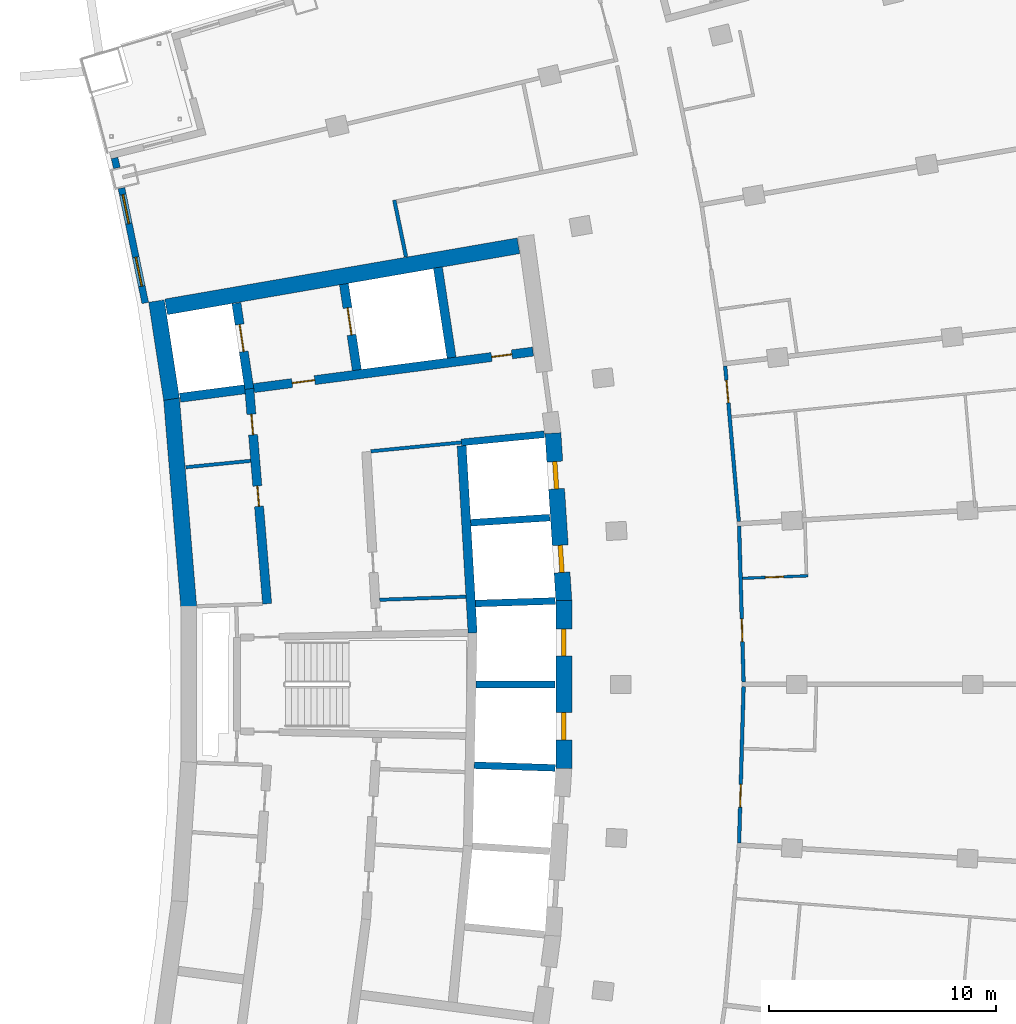
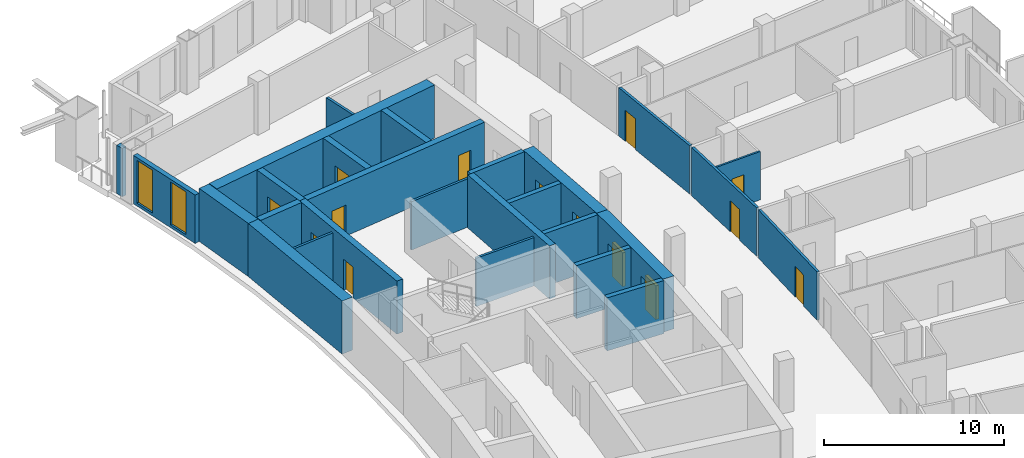
# One storey, part 14 of 20: 27 walls, 14 doors, 2 windows, 16 openings.
"""IFC4 building model written with IfcOpenShell, lengths in metres."""

from ifc_helpers import new_model, si_unit, direction, frame, frame_2d, origin, place, context, subcontext, project, spatial, rectangle, extrude, material, layer, layer_set, type_object, element, fill, save


model = new_model("IFC4")

# Units and contexts
model_context = context("Model", 3, precision=1e-05, world=origin(), true_north=direction((0.0, 1.0)))
body_context = subcontext(model_context, "Body", "Model", "MODEL_VIEW")
ifc_project = project(units=[si_unit("LENGTHUNIT", "METRE"), si_unit("AREAUNIT", "SQUARE_METRE"), si_unit("VOLUMEUNIT", "CUBIC_METRE"), si_unit("PLANEANGLEUNIT", "RADIAN"), si_unit("MASSUNIT", "GRAM", prefix="KILO")], contexts=[model_context])

# Site, building, storey
site_placement = place(None, origin())
site = spatial("IfcSite", under=ifc_project, at=site_placement, CompositionType="ELEMENT")
building_placement = place(site_placement, origin())
building = spatial("IfcBuilding", under=site, at=building_placement, Name="Alderwake Tower", CompositionType="ELEMENT")
storey_placement = place(building_placement, frame((0.0, 0.0, 178.39990234375)))
storey = spatial("IfcBuildingStorey", under=building, at=storey_placement, Name="L44", CompositionType="ELEMENT", Elevation=178.39990234375)

# Walls
ifc_material_1 = material(Name="Gypsum shaft wall system, rated")
ifc_layer_1 = layer(ifc_material_1, 0.14990234375)
ifc_layer_set_1 = layer_set([ifc_layer_1], Name="Core riser partition 150")
wall_type_1 = type_object("IfcWallType", Name="Core riser partition 150", PredefinedType="PARTITIONING", material=ifc_layer_set_1)
wall_1_placement = place(storey_placement, frame((25.191162109375, 64.723388671875, 0.0), z_axis=(0.0, 0.0, 1.0), x_axis=(0.999373627871, 0.035388584556, 0.0)))
element("IfcWall", 1, at=wall_1_placement, inside=storey, type_object=wall_type_1, Name="CW/L44/PR+37_+86", PredefinedType="PARTITIONING", context=body_context, shape_type="SweptSolid", body=[
    extrude(rectangle(XDim=3.79443359375, YDim=0.14990234375, at=frame_2d((1.897216796875, 0.0))), origin(), (0.0, 0.0, 1.0), 3.280029296875),
])
ifc_material_2 = material(Name="Gypsum shaft wall system, rated")
ifc_layer_2 = layer(ifc_material_2, 0.14990234375)
ifc_layer_set_2 = layer_set([ifc_layer_2], Name="Core room partition 150")
wall_type_2 = type_object("IfcWallType", Name="Core room partition 150", PredefinedType="PARTITIONING", material=ifc_layer_set_2)
wall_2_placement = place(storey_placement, frame((24.799560546875, 71.2548828125, 0.0), z_axis=(0.0, 0.0, 1.0), x_axis=(0.995250000627, 0.097352125046, 0.0)))
element("IfcWall", 2, at=wall_2_placement, inside=storey, type_object=wall_type_2, Name="CW/L44/PR+102_+86", PredefinedType="PARTITIONING", context=body_context, shape_type="SweptSolid", body=[
    extrude(rectangle(XDim=4.0, YDim=0.14990234375, at=frame_2d((2.0, 0.0))), origin(), (0.0, 0.0, 1.0), 3.280029296875),
])
wall_3_placement = place(storey_placement, frame((16.662841796875, 70.552001953125, 0.0), z_axis=(0.0, 0.0, 1.0), x_axis=(0.995157883569, 0.098289301407, 0.0)))
element("IfcWall", 3, at=wall_3_placement, inside=storey, type_object=wall_type_2, Name="CW/L44/PR+103_+0", PredefinedType="PARTITIONING", context=body_context, shape_type="SweptSolid", body=[
    extrude(rectangle(XDim=2.866455078125, YDim=0.14990234375, at=frame_2d((1.43310546875, 0.0))), origin(), (0.0, 0.0, 1.0), 3.280029296875),
])
ifc_material_3 = material(Name="Concrete C70/85", Category="concrete")
ifc_layer_3 = layer(ifc_material_3, 0.699951171875)
ifc_layer_set_3 = layer_set([ifc_layer_3], Name="Core wall outer 700 C70-85")
wall_type_3 = type_object("IfcWallType", Name="Core wall outer 700 C70-85", PredefinedType="SHEAR", material=ifc_layer_set_3)
wall_4_placement = place(storey_placement, frame((16.79052734375, 64.4111328125, 0.0), z_axis=(0.0, 0.0, 1.0), x_axis=(-0.082616907099, 0.996581379849, 0.0)))
element("IfcWall", 4, at=wall_4_placement, inside=storey, type_object=wall_type_3, Name="Core wall CW.040", PredefinedType="SHEAR", context=body_context, shape_type="SweptSolid", body=[
    extrude(rectangle(XDim=9.193359375, YDim=0.699951171875, at=frame_2d((4.5966796875, 0.0))), origin(), (0.0, 0.0, 1.0), 3.60009765625),
])
wall_5_placement = place(storey_placement, frame((16.033935546875, 73.547607421875, 0.0), z_axis=(0.0, 0.0, 1.0), x_axis=(-0.151897483467, 0.988396253795, 0.0)))
element("IfcWall", 5, at=wall_5_placement, inside=storey, type_object=wall_type_3, Name="Core wall CW.039", PredefinedType="SHEAR", context=body_context, shape_type="SweptSolid", body=[
    extrude(rectangle(XDim=4.365234375, YDim=0.699951171875, at=frame_2d((2.1826171875, 0.0))), origin(), (0.0, 0.0, 1.0), 3.60009765625),
])

# Wall, openings, doors
wall_6_placement = place(storey_placement, frame((33.2900390625, 57.30322265625, 0.0), z_axis=(0.0, 0.0, 1.0), x_axis=(0.0, 1.0, 0.0)))
wall_6 = element("IfcWall", 6, at=wall_6_placement, inside=storey, type_object=wall_type_3, Name="Core wall CW.013", PredefinedType="SHEAR", context=body_context, shape_type="SweptSolid", body=[
    extrude(rectangle(XDim=7.3935546875, YDim=0.699951171875, at=frame_2d((3.69677734375, 0.0))), origin(), (0.0, 0.0, 1.0), 3.60009765625),
])
opening_1_placement = place(wall_6_placement, frame((1.254150390625, 0.0, 0.0)))
opening_1 = element("IfcOpeningElement", 7, at=opening_1_placement, cuts=wall_6, Name="Opening LD-HP3", PredefinedType="OPENING", context=body_context, shape_type="SweptSolid", body=[
    extrude(rectangle(XDim=1.199951171875, YDim=2.300048828125, at=frame_2d((0.60009765625, 1.14990234375))), frame((0.0, 0.35986328125, 0.0), z_axis=(0.0, -1.0, 0.0), x_axis=(1.0, 0.0, 0.0)), (0.0, 0.0, 1.0), 0.719970703125),
])
opening_2_placement = place(wall_6_placement, frame((4.939208984375, 0.0, 0.0)))
opening_2 = element("IfcOpeningElement", 8, at=opening_2_placement, cuts=wall_6, Name="Opening LD-HP4", PredefinedType="OPENING", context=body_context, shape_type="SweptSolid", body=[
    extrude(rectangle(XDim=1.199951171875, YDim=2.300048828125, at=frame_2d((0.60009765625, 1.14990234375))), frame((0.0, 0.35986328125, 0.0), z_axis=(0.0, -1.0, 0.0), x_axis=(1.0, 0.0, 0.0)), (0.0, 0.0, 1.0), 0.719970703125),
])
ifc_material_4 = material(Name="Stainless steel sliding leaf", Category="steel")
door_type_1 = type_object("IfcDoorType", Name="Lift landing door 1200", OperationType="SLIDING_TO_LEFT", PredefinedType="DOOR", material=ifc_material_4)
door_1_placement = place(opening_1_placement, origin())
door_1 = element("IfcDoor", 9, at=door_1_placement, inside=storey, type_object=door_type_1, Name="Lift landing door HP3", OperationType="SLIDING_TO_LEFT", OverallHeight=2.300048828125, OverallWidth=1.199951171875, PredefinedType="DOOR", context=body_context, shape_type="SweptSolid", body=[
    extrude(rectangle(XDim=1.199951171875, YDim=2.300048828125, at=frame_2d((0.60009765625, 1.14990234375))), frame((0.0, 0.10009765625, 0.0), z_axis=(0.0, -1.0, 0.0), x_axis=(1.0, 0.0, 0.0)), (0.0, 0.0, 1.0), 0.199951171875),
])
fill(opening_1, door_1)
door_2_placement = place(opening_2_placement, origin())
door_2 = element("IfcDoor", 10, at=door_2_placement, inside=storey, type_object=door_type_1, Name="Lift landing door HP4", OperationType="SLIDING_TO_LEFT", OverallHeight=2.300048828125, OverallWidth=1.199951171875, PredefinedType="DOOR", context=body_context, shape_type="SweptSolid", body=[
    extrude(rectangle(XDim=1.199951171875, YDim=2.300048828125, at=frame_2d((0.60009765625, 1.14990234375))), frame((0.0, 0.10009765625, 0.0), z_axis=(0.0, -1.0, 0.0), x_axis=(1.0, 0.0, 0.0)), (0.0, 0.0, 1.0), 0.199951171875),
])
fill(opening_2, door_2)

wall_7_placement = place(storey_placement, frame((33.291015625, 64.6728515625, 0.0), z_axis=(0.0, 0.0, 1.0), x_axis=(-0.065009096017, 0.99788467141, 0.0)))
wall_7 = element("IfcWall", 11, at=wall_7_placement, inside=storey, type_object=wall_type_3, Name="Core wall CW.010", PredefinedType="SHEAR", context=body_context, shape_type="SweptSolid", body=[
    extrude(rectangle(XDim=7.39453125, YDim=0.699951171875, at=frame_2d((3.697265625, 0.0))), origin(), (0.0, 0.0, 1.0), 3.60009765625),
])
opening_3_placement = place(wall_7_placement, frame((1.25390625, 0.0, 0.0)))
opening_3 = element("IfcOpeningElement", 12, at=opening_3_placement, cuts=wall_7, Name="Opening LD-HP5", PredefinedType="OPENING", context=body_context, shape_type="SweptSolid", body=[
    extrude(rectangle(XDim=1.199951171875, YDim=2.300048828125, at=frame_2d((0.60009765625, 1.14990234375))), frame((0.0, 0.35986328125, 0.0), z_axis=(0.0, -1.0, 0.0), x_axis=(1.0, 0.0, 0.0)), (0.0, 0.0, 1.0), 0.719970703125),
])
opening_4_placement = place(wall_7_placement, frame((4.939208984375, 0.0, 0.0)))
opening_4 = element("IfcOpeningElement", 13, at=opening_4_placement, cuts=wall_7, Name="Opening LD-HP6", PredefinedType="OPENING", context=body_context, shape_type="SweptSolid", body=[
    extrude(rectangle(XDim=1.199951171875, YDim=2.300048828125, at=frame_2d((0.60009765625, 1.14990234375))), frame((0.0, 0.35986328125, 0.0), z_axis=(0.0, -1.0, 0.0), x_axis=(1.0, 0.0, 0.0)), (0.0, 0.0, 1.0), 0.719970703125),
])
door_3_placement = place(opening_3_placement, origin())
door_3 = element("IfcDoor", 14, at=door_3_placement, inside=storey, type_object=door_type_1, Name="Lift landing door HP5", OperationType="SLIDING_TO_LEFT", OverallHeight=2.300048828125, OverallWidth=1.199951171875, PredefinedType="DOOR", context=body_context, shape_type="SweptSolid", body=[
    extrude(rectangle(XDim=1.199951171875, YDim=2.300048828125, at=frame_2d((0.60009765625, 1.14990234375))), frame((0.0, 0.10009765625, 0.0), z_axis=(0.0, -1.0, 0.0), x_axis=(1.0, 0.0, 0.0)), (0.0, 0.0, 1.0), 0.199951171875),
])
fill(opening_3, door_3)
door_4_placement = place(opening_4_placement, origin())
door_4 = element("IfcDoor", 15, at=door_4_placement, inside=storey, type_object=door_type_1, Name="Lift landing door HP6", OperationType="SLIDING_TO_LEFT", OverallHeight=2.300048828125, OverallWidth=1.199951171875, PredefinedType="DOOR", context=body_context, shape_type="SweptSolid", body=[
    extrude(rectangle(XDim=1.199951171875, YDim=2.300048828125, at=frame_2d((0.60009765625, 1.14990234375))), frame((0.0, 0.10009765625, 0.0), z_axis=(0.0, -1.0, 0.0), x_axis=(1.0, 0.0, 0.0)), (0.0, 0.0, 1.0), 0.199951171875),
])
fill(opening_4, door_4)

# Walls
wall_8_placement = place(storey_placement, frame((15.79443359375, 77.606689453125, 0.0), z_axis=(0.0, 0.0, 1.0), x_axis=(0.985301369349, 0.170825090542, 0.0)))
element("IfcWall", 16, at=wall_8_placement, inside=storey, type_object=wall_type_3, Name="Core wall CW.055", PredefinedType="SHEAR", context=body_context, shape_type="SweptSolid", body=[
    extrude(rectangle(XDim=15.732421875, YDim=0.699951171875, at=frame_2d((7.8662109375, 0.0))), origin(), (0.0, 0.0, 1.0), 3.60009765625),
])
ifc_material_5 = material(Name="Concrete C70/85", Category="concrete")
ifc_layer_4 = layer(ifc_material_5, 0.300048828125)
ifc_layer_set_4 = layer_set([ifc_layer_4], Name="Core wall shaft 300 C70-85")
wall_type_4 = type_object("IfcWallType", Name="Core wall shaft 300 C70-85", PredefinedType="SHEAR", material=ifc_layer_set_4)
wall_9_placement = place(storey_placement, frame((29.347412109375, 57.443603515625, 0.0), z_axis=(0.0, 0.0, 1.0), x_axis=(0.999470674121, -0.03253262319, 0.0)))
element("IfcWall", 17, at=wall_9_placement, inside=storey, type_object=wall_type_4, Name="Core wall CW.075", PredefinedType="SHEAR", context=body_context, shape_type="SweptSolid", body=[
    extrude(rectangle(XDim=3.564697265625, YDim=0.300048828125, at=frame_2d((1.7822265625, 0.0))), origin(), (0.0, 0.0, 1.0), 3.60009765625),
])
wall_10_placement = place(storey_placement, frame((29.426025390625, 61.0, 0.0), z_axis=(0.0, 0.0, 1.0), x_axis=(1.0, 0.0, 0.0)))
element("IfcWall", 18, at=wall_10_placement, inside=storey, type_object=wall_type_4, Name="Core wall CW.048", PredefinedType="SHEAR", context=body_context, shape_type="SweptSolid", body=[
    extrude(rectangle(XDim=3.484130859375, YDim=0.300048828125, at=frame_2d((1.7421875, 0.0))), origin(), (0.0, 0.0, 1.0), 3.60009765625),
])
wall_11_placement = place(storey_placement, frame((29.401611328125, 64.558349609375, 0.0), z_axis=(0.0, 0.0, 1.0), x_axis=(0.999472422829, 0.032478854739, 0.0)))
element("IfcWall", 19, at=wall_11_placement, inside=storey, type_object=wall_type_4, Name="Core wall CW.058", PredefinedType="SHEAR", context=body_context, shape_type="SweptSolid", body=[
    extrude(rectangle(XDim=3.510498046875, YDim=0.300048828125, at=frame_2d((1.75537109375, 0.0))), origin(), (0.0, 0.0, 1.0), 3.60009765625),
])
wall_12_placement = place(storey_placement, frame((29.193603515625, 68.110595703125, 0.0), z_axis=(0.0, 0.0, 1.0), x_axis=(0.997884751549, 0.065007865878, 0.0)))
element("IfcWall", 20, at=wall_12_placement, inside=storey, type_object=wall_type_4, Name="Core wall CW.061", PredefinedType="SHEAR", context=body_context, shape_type="SweptSolid", body=[
    extrude(rectangle(XDim=3.485107421875, YDim=0.300048828125, at=frame_2d((1.74267578125, 0.0))), origin(), (0.0, 0.0, 1.0), 3.60009765625),
])
wall_13_placement = place(storey_placement, frame((28.780517578125, 71.644287109375, 0.0), z_axis=(0.0, 0.0, 1.0), x_axis=(0.995245736737, 0.097395705788, 0.0)))
element("IfcWall", 21, at=wall_13_placement, inside=storey, type_object=wall_type_4, Name="Core wall CW.049", PredefinedType="SHEAR", context=body_context, shape_type="SweptSolid", body=[
    extrude(rectangle(XDim=3.669677734375, YDim=0.300048828125, at=frame_2d((1.8349609375, 0.0))), origin(), (0.0, 0.0, 1.0), 3.60009765625),
])

# Wall, openings, doors
ifc_material_6 = material(Name="Concrete C70/85", Category="concrete")
ifc_layer_5 = layer(ifc_material_6, 0.39990234375)
ifc_layer_set_5 = layer_set([ifc_layer_5], Name="Core wall spine 400 C70-85")
wall_type_5 = type_object("IfcWallType", Name="Core wall spine 400 C70-85", PredefinedType="SHEAR", material=ifc_layer_set_5)
wall_14_placement = place(storey_placement, frame((19.452392578125, 74.014892578125, 0.0), z_axis=(0.0, 0.0, 1.0), x_axis=(0.082628585297, -0.996580411654, 0.0)))
wall_14 = element("IfcWall", 22, at=wall_14_placement, inside=storey, type_object=wall_type_5, Name="Core wall CW.031", PredefinedType="SHEAR", context=body_context, shape_type="SweptSolid", body=[
    extrude(rectangle(XDim=9.499267578125, YDim=0.39990234375, at=frame_2d((4.74951171875, 0.0))), origin(), (0.0, 0.0, 1.0), 3.60009765625),
])
opening_5_placement = place(wall_14_placement, frame((4.302978515625, 0.0, 0.0)))
opening_5 = element("IfcOpeningElement", 23, at=opening_5_placement, cuts=wall_14, Name="Opening C052", PredefinedType="OPENING", context=body_context, shape_type="SweptSolid", body=[
    extrude(rectangle(XDim=0.89990234375, YDim=2.10009765625, at=frame_2d((0.449951171875, 1.050048828125))), frame((0.0, 0.2099609375, 0.0), z_axis=(0.0, -1.0, 0.0), x_axis=(1.0, 0.0, 0.0)), (0.0, 0.0, 1.0), 0.419921875),
])
opening_6_placement = place(wall_14_placement, frame((1.138427734375, 0.0, 0.0)))
opening_6 = element("IfcOpeningElement", 24, at=opening_6_placement, cuts=wall_14, Name="Opening C056", PredefinedType="OPENING", context=body_context, shape_type="SweptSolid", body=[
    extrude(rectangle(XDim=0.89990234375, YDim=2.10009765625, at=frame_2d((0.449951171875, 1.050048828125))), frame((0.0, 0.2099609375, 0.0), z_axis=(0.0, -1.0, 0.0), x_axis=(1.0, 0.0, 0.0)), (0.0, 0.0, 1.0), 0.419921875),
])
ifc_material_7 = material(Name="Painted steel leaf", Category="steel")
door_type_2 = type_object("IfcDoorType", Name="Core room door 900", OperationType="SINGLE_SWING_LEFT", PredefinedType="DOOR", material=ifc_material_7)
door_5_placement = place(opening_5_placement, origin())
door_5 = element("IfcDoor", 25, at=door_5_placement, inside=storey, type_object=door_type_2, Name="Room door", OperationType="SINGLE_SWING_LEFT", OverallHeight=2.10009765625, OverallWidth=0.89990234375, PredefinedType="DOOR", context=body_context, shape_type="SweptSolid", body=[
    extrude(rectangle(XDim=0.89990234375, YDim=2.10009765625, at=frame_2d((0.449951171875, 1.050048828125))), frame((0.0, 0.02490234375, 0.0), z_axis=(0.0, -1.0, 0.0), x_axis=(1.0, 0.0, 0.0)), (0.0, 0.0, 1.0), 0.050048828125),
])
fill(opening_5, door_5)
door_6_placement = place(opening_6_placement, origin())
door_6 = element("IfcDoor", 26, at=door_6_placement, inside=storey, type_object=door_type_2, Name="Room door", OperationType="SINGLE_SWING_RIGHT", OverallHeight=2.10009765625, OverallWidth=0.89990234375, PredefinedType="DOOR", context=body_context, shape_type="SweptSolid", body=[
    extrude(rectangle(XDim=0.89990234375, YDim=2.10009765625, at=frame_2d((0.449951171875, 1.050048828125))), frame((0.0, 0.02490234375, 0.0), z_axis=(0.0, -1.0, 0.0), x_axis=(1.0, 0.0, 0.0)), (0.0, 0.0, 1.0), 0.050048828125),
])
fill(opening_6, door_6)

# Wall, opening, door
wall_15_placement = place(storey_placement, frame((19.4541015625, 74.000732421875, 0.0), z_axis=(0.0, 0.0, 1.0), x_axis=(-0.148540738889, 0.988906289236, 0.0)))
wall_15 = element("IfcWall", 27, at=wall_15_placement, inside=storey, type_object=wall_type_5, Name="Core wall CW.030", PredefinedType="SHEAR", context=body_context, shape_type="SweptSolid", body=[
    extrude(rectangle(XDim=3.814697265625, YDim=0.39990234375, at=frame_2d((1.9072265625, 0.0))), origin(), (0.0, 0.0, 1.0), 3.60009765625),
])
opening_7_placement = place(wall_15_placement, frame((1.660888671875, 0.0, 0.0)))
opening_7 = element("IfcOpeningElement", 28, at=opening_7_placement, cuts=wall_15, Name="Opening LD-FF1", PredefinedType="OPENING", context=body_context, shape_type="SweptSolid", body=[
    extrude(rectangle(XDim=1.199951171875, YDim=2.300048828125, at=frame_2d((0.60009765625, 1.14990234375))), frame((0.0, 0.2099609375, 0.0), z_axis=(0.0, -1.0, 0.0), x_axis=(1.0, 0.0, 0.0)), (0.0, 0.0, 1.0), 0.419921875),
])
door_7_placement = place(opening_7_placement, origin())
door_7 = element("IfcDoor", 29, at=door_7_placement, inside=storey, type_object=door_type_1, Name="Lift landing door FF1", OperationType="SLIDING_TO_LEFT", OverallHeight=2.300048828125, OverallWidth=1.199951171875, PredefinedType="DOOR", context=body_context, shape_type="SweptSolid", body=[
    extrude(rectangle(XDim=1.199951171875, YDim=2.300048828125, at=frame_2d((0.60009765625, 1.14990234375))), frame((0.0, 0.02490234375, 0.0), z_axis=(0.0, -1.0, 0.0), x_axis=(1.0, 0.0, 0.0)), (0.0, 0.0, 1.0), 0.050048828125),
])
fill(opening_7, door_7)

wall_16_placement = place(storey_placement, frame((24.186279296875, 74.82861328125, 0.0), z_axis=(0.0, 0.0, 1.0), x_axis=(-0.149604879253, 0.988745862243, 0.0)))
wall_16 = element("IfcWall", 30, at=wall_16_placement, inside=storey, type_object=wall_type_5, Name="Core wall CW.044", PredefinedType="SHEAR", context=body_context, shape_type="SweptSolid", body=[
    extrude(rectangle(XDim=3.823486328125, YDim=0.39990234375, at=frame_2d((1.91162109375, 0.0))), origin(), (0.0, 0.0, 1.0), 3.60009765625),
])
opening_8_placement = place(wall_16_placement, frame((1.561767578125, 0.0, 0.0)))
opening_8 = element("IfcOpeningElement", 31, at=opening_8_placement, cuts=wall_16, Name="Opening LD-FF2", PredefinedType="OPENING", context=body_context, shape_type="SweptSolid", body=[
    extrude(rectangle(XDim=1.199951171875, YDim=2.300048828125, at=frame_2d((0.60009765625, 1.14990234375))), frame((0.0, 0.2099609375, 0.0), z_axis=(0.0, -1.0, 0.0), x_axis=(1.0, 0.0, 0.0)), (0.0, 0.0, 1.0), 0.419921875),
])
door_8_placement = place(opening_8_placement, origin())
door_8 = element("IfcDoor", 32, at=door_8_placement, inside=storey, type_object=door_type_1, Name="Lift landing door FF2", OperationType="SLIDING_TO_LEFT", OverallHeight=2.300048828125, OverallWidth=1.199951171875, PredefinedType="DOOR", context=body_context, shape_type="SweptSolid", body=[
    extrude(rectangle(XDim=1.199951171875, YDim=2.300048828125, at=frame_2d((0.60009765625, 1.14990234375))), frame((0.0, 0.02490234375, 0.0), z_axis=(0.0, -1.0, 0.0), x_axis=(1.0, 0.0, 0.0)), (0.0, 0.0, 1.0), 0.050048828125),
])
fill(opening_8, door_8)

# Walls
wall_17_placement = place(storey_placement, frame((29.27685546875, 63.2646484375, 0.0), z_axis=(0.0, 0.0, 1.0), x_axis=(-0.0584546922, 0.998290062537, 0.0)))
element("IfcWall", 33, at=wall_17_placement, inside=storey, type_object=wall_type_5, Name="Core wall CW.002", PredefinedType="SHEAR", context=body_context, shape_type="SweptSolid", body=[
    extrude(rectangle(XDim=8.24462890625, YDim=0.39990234375, at=frame_2d((4.122314453125, 0.0))), origin(), (0.0, 0.0, 1.0), 3.60009765625),
])
wall_18_placement = place(storey_placement, frame((28.350830078125, 75.373291015625, 0.0), z_axis=(0.0, 0.0, 1.0), x_axis=(-0.149688214264, 0.988733249421, 0.0)))
element("IfcWall", 34, at=wall_18_placement, inside=storey, type_object=wall_type_5, Name="Core wall CW.001", PredefinedType="SHEAR", context=body_context, shape_type="SweptSolid", body=[
    extrude(rectangle(XDim=4.01220703125, YDim=0.39990234375, at=frame_2d((2.006103515625, 0.0))), origin(), (0.0, 0.0, 1.0), 3.60009765625),
])
wall_19_placement = place(storey_placement, frame((16.4091796875, 73.609619140625, 0.0), z_axis=(0.0, 0.0, 1.0), x_axis=(0.991557657486, 0.129666541102, 0.0)))
element("IfcWall", 35, at=wall_19_placement, inside=storey, type_object=wall_type_5, Name="Core wall CW.051", PredefinedType="SHEAR", context=body_context, shape_type="SweptSolid", body=[
    extrude(rectangle(XDim=2.869384765625, YDim=0.39990234375, at=frame_2d((1.4345703125, 0.0))), origin(), (0.0, 0.0, 1.0), 3.60009765625),
])

# Wall, openings, doors
wall_20_placement = place(storey_placement, frame((31.933837890625, 75.64013671875, 0.0), z_axis=(0.0, 0.0, 1.0), x_axis=(-0.991554628634, -0.129689700573, 0.0)))
wall_20 = element("IfcWall", 36, at=wall_20_placement, inside=storey, type_object=wall_type_5, Name="Core wall CW.052", PredefinedType="SHEAR", context=body_context, shape_type="SweptSolid", body=[
    extrude(rectangle(XDim=12.38671875, YDim=0.39990234375, at=frame_2d((6.193359375, 0.0))), origin(), (0.0, 0.0, 1.0), 3.60009765625),
])
opening_9_placement = place(wall_20_placement, frame((9.687255859375, 0.0, 0.0)))
opening_9 = element("IfcOpeningElement", 37, at=opening_9_placement, cuts=wall_20, Name="Opening C002", PredefinedType="OPENING", context=body_context, shape_type="SweptSolid", body=[
    extrude(rectangle(XDim=1.0, YDim=2.10009765625, at=frame_2d((0.5, 1.050048828125))), frame((0.0, 0.2099609375, 0.0), z_axis=(0.0, -1.0, 0.0), x_axis=(1.0, 0.0, 0.0)), (0.0, 0.0, 1.0), 0.419921875),
])
opening_10_placement = place(wall_20_placement, frame((0.937255859375, 0.0, 0.0)))
opening_10 = element("IfcOpeningElement", 38, at=opening_10_placement, cuts=wall_20, Name="Opening C020", PredefinedType="OPENING", context=body_context, shape_type="SweptSolid", body=[
    extrude(rectangle(XDim=0.89990234375, YDim=2.10009765625, at=frame_2d((0.449951171875, 1.050048828125))), frame((0.0, 0.2099609375, 0.0), z_axis=(0.0, -1.0, 0.0), x_axis=(1.0, 0.0, 0.0)), (0.0, 0.0, 1.0), 0.419921875),
])
door_9_placement = place(opening_10_placement, origin())
door_9 = element("IfcDoor", 39, at=door_9_placement, inside=storey, type_object=door_type_2, Name="Room door", OperationType="SINGLE_SWING_LEFT", OverallHeight=2.10009765625, OverallWidth=0.89990234375, PredefinedType="DOOR", context=body_context, shape_type="SweptSolid", body=[
    extrude(rectangle(XDim=0.89990234375, YDim=2.10009765625, at=frame_2d((0.449951171875, 1.050048828125))), frame((0.0, 0.02490234375, 0.0), z_axis=(0.0, -1.0, 0.0), x_axis=(1.0, 0.0, 0.0)), (0.0, 0.0, 1.0), 0.050048828125),
])
fill(opening_10, door_9)
ifc_material_8 = material(Name="Steel-framed fire door leaf", Category="steel")
door_type_3 = type_object("IfcDoorType", Name="Firefighting lobby door 1000 fire-rated", OperationType="SINGLE_SWING_LEFT", PredefinedType="DOOR", material=ifc_material_8)
door_10_placement = place(opening_9_placement, origin())
door_10 = element("IfcDoor", 40, at=door_10_placement, inside=storey, type_object=door_type_3, Name="Firefighting lobby door", OperationType="SINGLE_SWING_RIGHT", OverallHeight=2.10009765625, OverallWidth=1.0, PredefinedType="DOOR", context=body_context, shape_type="SweptSolid", body=[
    extrude(rectangle(XDim=1.0, YDim=2.10009765625, at=frame_2d((0.5, 1.050048828125))), frame((0.0, 0.02490234375, 0.0), z_axis=(0.0, -1.0, 0.0), x_axis=(1.0, 0.0, 0.0)), (0.0, 0.0, 1.0), 0.050048828125),
])
fill(opening_9, door_10)

# Wall
ifc_material_9 = material(Name="Gypsum board on metal studs, rated")
ifc_layer_6 = layer(ifc_material_9, 0.159912109375)
ifc_layer_set_6 = layer_set([ifc_layer_6], Name="Corridor wall 160")
wall_type_6 = type_object("IfcWallType", Name="Corridor wall 160", PredefinedType="PARTITIONING", material=ifc_layer_set_6)
wall_21_placement = place(storey_placement, frame((25.831787109375, 82.305419921875, 0.0), z_axis=(0.0, 0.0, 1.0), x_axis=(0.202450797205, -0.979292435747, 0.0)))
element("IfcWall", 41, at=wall_21_placement, inside=storey, type_object=wall_type_6, Name="WL/L44/W16", PredefinedType="PARTITIONING", context=body_context, shape_type="SweptSolid", body=[
    extrude(rectangle(XDim=2.555419921875, YDim=0.159912109375, at=frame_2d((1.27783203125, 0.0))), origin(), (0.0, 0.0, 1.0), 3.280029296875),
])

# Wall, opening, door
wall_22_placement = place(storey_placement, frame((41.196044921875, 60.89892578125, 0.0), z_axis=(0.0, 0.0, 1.0), x_axis=(-0.028865238788, -0.99958331218, 0.0)))
wall_22 = element("IfcWall", 42, at=wall_22_placement, inside=storey, type_object=wall_type_6, Name="WL/L44/W30", PredefinedType="PARTITIONING", context=body_context, shape_type="SweptSolid", body=[
    extrude(rectangle(XDim=6.867919921875, YDim=0.159912109375, at=frame_2d((3.43408203125, 0.0))), origin(), (0.0, 0.0, 1.0), 3.280029296875),
])
opening_11_placement = place(wall_22_placement, frame((4.297119140625, 0.0, 0.0)))
opening_11 = element("IfcOpeningElement", 43, at=opening_11_placement, cuts=wall_22, Name="Opening R12-U05.1", PredefinedType="OPENING", context=body_context, shape_type="SweptSolid", body=[
    extrude(rectangle(XDim=1.0, YDim=2.10009765625, at=frame_2d((0.5, 1.050048828125))), frame((0.0, 0.08984375, 0.0), z_axis=(0.0, -1.0, 0.0), x_axis=(1.0, 0.0, 0.0)), (0.0, 0.0, 1.0), 0.179931640625),
])
ifc_material_10 = material(Name="Solid timber leaf in steel frame", Category="steel")
door_type_4 = type_object("IfcDoorType", Name="Flat entrance door 1000 fire-rated", OperationType="SINGLE_SWING_LEFT", PredefinedType="DOOR", material=ifc_material_10)
door_11_placement = place(opening_11_placement, origin())
door_11 = element("IfcDoor", 44, at=door_11_placement, inside=storey, type_object=door_type_4, Name="DR/L44/U05.1", OperationType="SINGLE_SWING_LEFT", OverallHeight=2.10009765625, OverallWidth=1.0, PredefinedType="DOOR", context=body_context, shape_type="SweptSolid", body=[
    extrude(rectangle(XDim=1.0, YDim=2.10009765625, at=frame_2d((0.5, 1.050048828125))), frame((0.0, 0.02490234375, 0.0), z_axis=(0.0, -1.0, 0.0), x_axis=(1.0, 0.0, 0.0)), (0.0, 0.0, 1.0), 0.050048828125),
])
fill(opening_11, door_11)

wall_23_placement = place(storey_placement, frame((40.3857421875, 75.00830078125, 0.0), z_axis=(0.0, 0.0, 1.0), x_axis=(0.087448731147, -0.996169021512, 0.0)))
wall_23 = element("IfcWall", 45, at=wall_23_placement, inside=storey, type_object=wall_type_6, Name="WL/L44/W31", PredefinedType="PARTITIONING", context=body_context, shape_type="SweptSolid", body=[
    extrude(rectangle(XDim=6.867919921875, YDim=0.159912109375, at=frame_2d((3.43408203125, 0.0))), origin(), (0.0, 0.0, 1.0), 3.280029296875),
])
opening_12_placement = place(wall_23_placement, frame((0.628173828125, 0.0, 0.0)))
opening_12 = element("IfcOpeningElement", 46, at=opening_12_placement, cuts=wall_23, Name="Opening R12-U07.2", PredefinedType="OPENING", context=body_context, shape_type="SweptSolid", body=[
    extrude(rectangle(XDim=1.0, YDim=2.10009765625, at=frame_2d((0.5, 1.050048828125))), frame((0.0, 0.08984375, 0.0), z_axis=(0.0, -1.0, 0.0), x_axis=(1.0, 0.0, 0.0)), (0.0, 0.0, 1.0), 0.179931640625),
])
door_12_placement = place(opening_12_placement, origin())
door_12 = element("IfcDoor", 47, at=door_12_placement, inside=storey, type_object=door_type_4, Name="DR/L44/U07.2", OperationType="SINGLE_SWING_LEFT", OverallHeight=2.10009765625, OverallWidth=1.0, PredefinedType="DOOR", context=body_context, shape_type="SweptSolid", body=[
    extrude(rectangle(XDim=1.0, YDim=2.10009765625, at=frame_2d((0.5, 1.050048828125))), frame((0.0, 0.02490234375, 0.0), z_axis=(0.0, -1.0, 0.0), x_axis=(1.0, 0.0, 0.0)), (0.0, 0.0, 1.0), 0.050048828125),
])
fill(opening_12, door_12)

wall_24_placement = place(storey_placement, frame((40.997802734375, 67.967041015625, 0.0), z_axis=(0.0, 0.0, 1.0), x_axis=(0.028852935833, -0.99958366738, 0.0)))
wall_24 = element("IfcWall", 48, at=wall_24_placement, inside=storey, type_object=wall_type_6, Name="WL/L44/W32", PredefinedType="PARTITIONING", context=body_context, shape_type="SweptSolid", body=[
    extrude(rectangle(XDim=6.870849609375, YDim=0.159912109375, at=frame_2d((3.435546875, 0.0))), origin(), (0.0, 0.0, 1.0), 3.280029296875),
])
opening_13_placement = place(wall_24_placement, frame((4.087646484375, 0.0, 0.0)))
opening_13 = element("IfcOpeningElement", 49, at=opening_13_placement, cuts=wall_24, Name="Opening R12-U06.1", PredefinedType="OPENING", context=body_context, shape_type="SweptSolid", body=[
    extrude(rectangle(XDim=1.0, YDim=2.10009765625, at=frame_2d((0.5, 1.050048828125))), frame((0.0, 0.08984375, 0.0), z_axis=(0.0, -1.0, 0.0), x_axis=(1.0, 0.0, 0.0)), (0.0, 0.0, 1.0), 0.179931640625),
])
door_13_placement = place(opening_13_placement, origin())
door_13 = element("IfcDoor", 50, at=door_13_placement, inside=storey, type_object=door_type_4, Name="DR/L44/U06.1", OperationType="SINGLE_SWING_LEFT", OverallHeight=2.10009765625, OverallWidth=1.0, PredefinedType="DOOR", context=body_context, shape_type="SweptSolid", body=[
    extrude(rectangle(XDim=1.0, YDim=2.10009765625, at=frame_2d((0.5, 1.050048828125))), frame((0.0, 0.02490234375, 0.0), z_axis=(0.0, -1.0, 0.0), x_axis=(1.0, 0.0, 0.0)), (0.0, 0.0, 1.0), 0.050048828125),
])
fill(opening_13, door_13)

# Wall
ifc_material_11 = material(Name="Precast concrete C50/60 spandrel panel", Category="concrete")
ifc_layer_7 = layer(ifc_material_11, 0.300048828125)
ifc_layer_set_7 = layer_set([ifc_layer_7], Name="External wall EW1 Precast concrete C50/60 spandrel")
wall_type_7 = type_object("IfcWallType", Name="External wall EW1 Precast concrete C50/60 spandrel", PredefinedType="SOLIDWALL", material=ifc_layer_set_7)
wall_25_placement = place(storey_placement, frame((13.523193359375, 84.1572265625, 0.0), z_axis=(0.0, 0.0, 1.0), x_axis=(0.238729806706, -0.97108603089, 0.0)))
element("IfcWall", 51, at=wall_25_placement, inside=storey, type_object=wall_type_7, Name="External wall 30", PredefinedType="SOLIDWALL", context=body_context, shape_type="SweptSolid", body=[
    extrude(rectangle(XDim=0.453125, YDim=0.300048828125, at=frame_2d((0.2265625, 0.0))), origin(), (0.0, 0.0, 1.0), 3.280029296875),
])

# Wall, openings, windows
wall_26_placement = place(storey_placement, frame((13.83203125, 82.8291015625, 0.0), z_axis=(0.0, 0.0, 1.0), x_axis=(0.202754243564, -0.979229654737, 0.0)))
wall_26 = element("IfcWall", 52, at=wall_26_placement, inside=storey, type_object=wall_type_7, Name="External wall 31", PredefinedType="SOLIDWALL", context=body_context, shape_type="SweptSolid", body=[
    extrude(rectangle(XDim=5.15966796875, YDim=0.300048828125, at=frame_2d((2.579833984375, 0.0))), origin(), (0.0, 0.0, 1.0), 3.280029296875),
])
opening_14_placement = place(wall_26_placement, frame((0.29052734375, 0.0, 0.199951171875)))
opening_14 = element("IfcOpeningElement", 53, at=opening_14_placement, cuts=wall_26, Name="Opening W1", PredefinedType="OPENING", context=body_context, shape_type="SweptSolid", body=[
    extrude(rectangle(XDim=1.300048828125, YDim=2.89990234375, at=frame_2d((0.64990234375, 1.449951171875))), frame((0.0, 0.159912109375, 0.0), z_axis=(0.0, -1.0, 0.0), x_axis=(1.0, 0.0, 0.0)), (0.0, 0.0, 1.0), 0.320068359375),
])
opening_15_placement = place(wall_26_placement, frame((3.103271484375, 0.0, 0.199951171875)))
opening_15 = element("IfcOpeningElement", 54, at=opening_15_placement, cuts=wall_26, Name="Opening W1", PredefinedType="OPENING", context=body_context, shape_type="SweptSolid", body=[
    extrude(rectangle(XDim=1.300048828125, YDim=2.89990234375, at=frame_2d((0.64990234375, 1.449951171875))), frame((0.0, 0.159912109375, 0.0), z_axis=(0.0, -1.0, 0.0), x_axis=(1.0, 0.0, 0.0)), (0.0, 0.0, 1.0), 0.320068359375),
])
ifc_material_12 = material(Name="Bronze tinted glass in aluminium frame", Category="aluminium")
window_type = type_object("IfcWindowType", Name="Window W1 tall fixed and vent", PartitioningType="DOUBLE_PANEL_VERTICAL", PredefinedType="WINDOW", material=ifc_material_12)
window_1_placement = place(opening_14_placement, origin())
window_1 = element("IfcWindow", 55, at=window_1_placement, inside=storey, type_object=window_type, Name="Window W1 tall fixed and vent", OverallHeight=2.89990234375, OverallWidth=1.300048828125, PartitioningType="DOUBLE_PANEL_VERTICAL", PredefinedType="WINDOW", context=body_context, shape_type="SweptSolid", body=[
    extrude(rectangle(XDim=1.300048828125, YDim=2.89990234375, at=frame_2d((0.64990234375, 1.449951171875))), frame((0.0, 0.030029296875, 0.0), z_axis=(0.0, -1.0, 0.0), x_axis=(1.0, 0.0, 0.0)), (0.0, 0.0, 1.0), 0.06005859375),
])
fill(opening_14, window_1)
window_2_placement = place(opening_15_placement, origin())
window_2 = element("IfcWindow", 56, at=window_2_placement, inside=storey, type_object=window_type, Name="Window W1 tall fixed and vent", OverallHeight=2.89990234375, OverallWidth=1.300048828125, PartitioningType="DOUBLE_PANEL_VERTICAL", PredefinedType="WINDOW", context=body_context, shape_type="SweptSolid", body=[
    extrude(rectangle(XDim=1.300048828125, YDim=2.89990234375, at=frame_2d((0.64990234375, 1.449951171875))), frame((0.0, 0.030029296875, 0.0), z_axis=(0.0, -1.0, 0.0), x_axis=(1.0, 0.0, 0.0)), (0.0, 0.0, 1.0), 0.06005859375),
])
fill(opening_15, window_2)

# Wall, opening, door
ifc_material_13 = material(Name="Moisture resistant gypsum board on metal studs")
ifc_layer_8 = layer(ifc_material_13, 0.1201171875)
ifc_layer_set_8 = layer_set([ifc_layer_8], Name="Wet room partition 120")
wall_type_8 = type_object("IfcWallType", Name="Wet room partition 120", PredefinedType="PARTITIONING", material=ifc_layer_set_8)
wall_27_placement = place(storey_placement, frame((41.143798828125, 65.6669921875, 0.0), z_axis=(0.0, 0.0, 1.0), x_axis=(0.99926579989, 0.038312676355, 0.0)))
wall_27 = element("IfcWall", 57, at=wall_27_placement, inside=storey, type_object=wall_type_8, Name="WL/L44/W42", PredefinedType="PARTITIONING", context=body_context, shape_type="SweptSolid", body=[
    extrude(rectangle(XDim=2.88037109375, YDim=0.1201171875, at=frame_2d((1.440185546875, 0.0))), origin(), (0.0, 0.0, 1.0), 3.280029296875),
])
opening_16_placement = place(wall_27_placement, frame((1.009521484375, 0.0, 0.0)))
opening_16 = element("IfcOpeningElement", 58, at=opening_16_placement, cuts=wall_27, Name="Opening R12-U06.2", PredefinedType="OPENING", context=body_context, shape_type="SweptSolid", body=[
    extrude(rectangle(XDim=0.800048828125, YDim=2.10009765625, at=frame_2d((0.39990234375, 1.050048828125))), frame((0.0, 0.070068359375, 0.0), z_axis=(0.0, -1.0, 0.0), x_axis=(1.0, 0.0, 0.0)), (0.0, 0.0, 1.0), 0.14013671875),
])
ifc_material_14 = material(Name="Painted timber leaf", Category="wood")
door_type_5 = type_object("IfcDoorType", Name="Bathroom door 800", OperationType="SINGLE_SWING_LEFT", PredefinedType="DOOR", material=ifc_material_14)
door_14_placement = place(opening_16_placement, origin())
door_14 = element("IfcDoor", 59, at=door_14_placement, inside=storey, type_object=door_type_5, Name="DR/L44/U06.2", OperationType="SINGLE_SWING_LEFT", OverallHeight=2.10009765625, OverallWidth=0.800048828125, PredefinedType="DOOR", context=body_context, shape_type="SweptSolid", body=[
    extrude(rectangle(XDim=0.800048828125, YDim=2.10009765625, at=frame_2d((0.39990234375, 1.050048828125))), frame((0.0, 0.02490234375, 0.0), z_axis=(0.0, -1.0, 0.0), x_axis=(1.0, 0.0, 0.0)), (0.0, 0.0, 1.0), 0.050048828125),
])
fill(opening_16, door_14)

save(model, "model.ifc")
